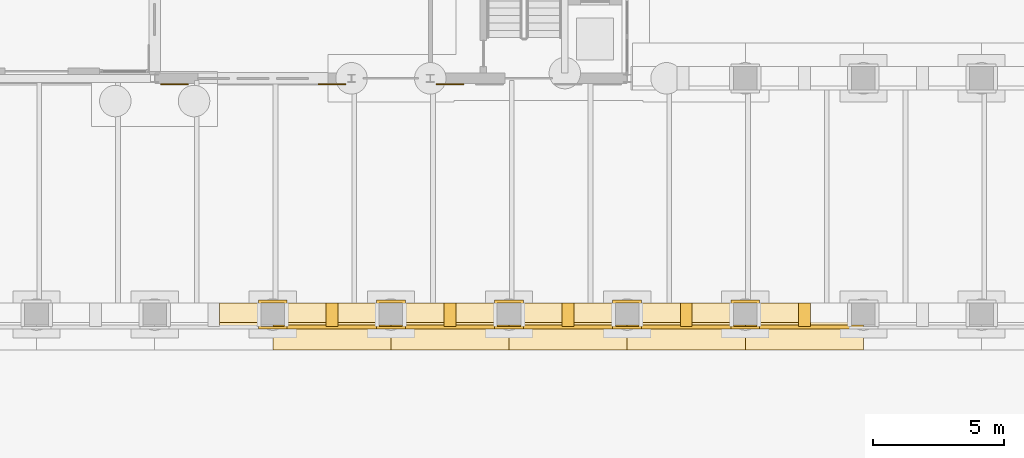
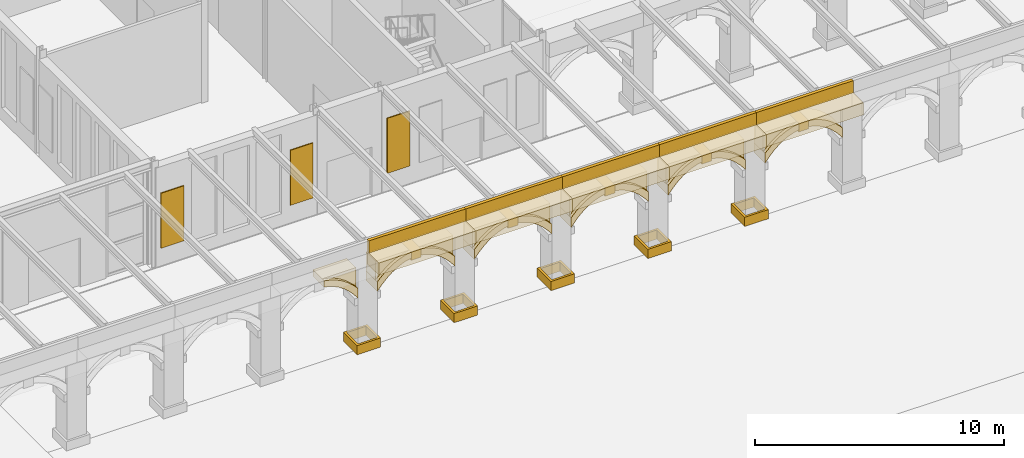
# One storey, part 133 of 168: 44 coverings.
"""IFC4 building model written with IfcOpenShell, lengths in metres."""

from ifc_helpers import new_model, si_unit, direction, frame, origin, origin_2d, place, context, subcontext, project, spatial, polyline, rectangle, outline, extrude, material, layer, layer_set, material_profile, profile_set, type_object, element, save


model = new_model("IFC4")

# Units and contexts
model_context = context("Model", 3, precision=1e-05, world=origin(), true_north=direction((0.0, 1.0)))
body_context = subcontext(model_context, "Body", "Model", "MODEL_VIEW")
ifc_project = project(units=[si_unit("LENGTHUNIT", "METRE"), si_unit("AREAUNIT", "SQUARE_METRE"), si_unit("VOLUMEUNIT", "CUBIC_METRE"), si_unit("PLANEANGLEUNIT", "RADIAN"), si_unit("MASSUNIT", "GRAM", prefix="KILO")], contexts=[model_context])

# Site, building, storey
site_placement = place(None, origin())
site = spatial("IfcSite", under=ifc_project, at=site_placement, CompositionType="ELEMENT")
building_placement = place(site_placement, origin())
building = spatial("IfcBuilding", under=site, at=building_placement, Name="Golden Quay Civic Hall", CompositionType="ELEMENT")
storey_placement = place(building_placement, origin())
storey = spatial("IfcBuildingStorey", under=building, at=storey_placement, Name="L00", CompositionType="ELEMENT", Elevation=0.0)

# Coverings
ifc_material_1 = material(Name="Brick, dark clay facing", Category="masonry")
ifc_layer_1 = layer(ifc_material_1, 0.75)
ifc_layer_set_1 = layer_set([ifc_layer_1], Name="Brick arch spandrel infill 750")
covering_type_1 = type_object("IfcCoveringType", Name="Brick arch spandrel infill 750", PredefinedType="CLADDING", material=ifc_layer_set_1)
covering_1_placement = place(storey_placement, frame((101.47509765625, -9.300048828125, 4.091064453125), z_axis=(0.0, -1.0, 0.0), x_axis=(0.97842552974, 0.0, -0.206599813053)))
element("IfcCovering", 1, at=covering_1_placement, inside=storey, type_object=covering_type_1, Name="Arch spandrel outer bay 19 right", PredefinedType="CLADDING", context=body_context, shape_type="SweptSolid", body=[
    extrude(outline(polyline([(0.0, 0.0), (0.06263051710363293, 1.734723475976807e-18), (0.31267483867747137, -0.0001008788149670925), (0.5881025541456739, -0.03651242089648961), (0.8673750848258303, -0.11003975339043703), (1.1505561937424948, -0.22216655622637274), (1.4375212099073598, -0.3746658221616902), (1.7294911476562997, -0.5697749671774053), (1.7300697733119603, -0.5701518352031314), (1.539106176579233, 0.3342229342292182), (-0.0018662580768914177, 0.008838316552825392), (0.0, 0.0)])), origin(), (0.0, 0.0, -1.0), 0.75),
])
covering_2_placement = place(storey_placement, frame((103.949951171875, -9.300048828125, 3.17578125), z_axis=(0.0, -1.0, 0.0), x_axis=(0.707106781187, 0.0, 0.707106781187)))
element("IfcCovering", 2, at=covering_2_placement, inside=storey, type_object=covering_type_1, Name="Arch spandrel outer bay 20 left", PredefinedType="CLADDING", context=body_context, shape_type="SweptSolid", body=[
    extrude(outline(polyline([(0.0, 0.0), (0.0006905339660024879, 0.0), (0.35182705567826755, 0.004143203796014933), (0.6755148522419337, -0.02468658928458889), (0.9739981590465092, -0.08528094480130727), (1.2481401435494968, -0.17608616133063437), (1.4988039732084, -0.29589380443206603), (1.7083810318901549, -0.4322742627175573), (1.760861613306344, -0.46645569403468046), (1.767249052491867, -0.4600682548491575), (0.6535903988213547, 0.6535903988213547), (0.0, 0.0)])), origin(), (0.0, 0.0, -1.0), 0.75),
])
covering_3_placement = place(storey_placement, frame((105.97509765625, -9.300048828125, 4.091064453125), z_axis=(0.0, -1.0, 0.0), x_axis=(0.97842552974, 0.0, -0.206599813053)))
element("IfcCovering", 3, at=covering_3_placement, inside=storey, type_object=covering_type_1, Name="Arch spandrel outer bay 20 right", PredefinedType="CLADDING", context=body_context, shape_type="SweptSolid", body=[
    extrude(outline(polyline([(0.0, 0.0), (0.06263051710363293, 1.734723475976807e-18), (0.31267483867747137, -0.0001008788149670925), (0.5881025541456739, -0.03651242089648961), (0.8673750848258303, -0.11003975339043703), (1.1505561937424948, -0.22216655622637274), (1.4375212099073598, -0.3746658221616902), (1.7294911476562997, -0.5697749671774053), (1.7300697733119603, -0.5701518352031314), (1.539106176579233, 0.3342229342292182), (-0.0018662580768914177, 0.008838316552825392), (0.0, 0.0)])), origin(), (0.0, 0.0, -1.0), 0.75),
])
covering_4_placement = place(storey_placement, frame((108.449951171875, -9.300048828125, 3.17578125), z_axis=(0.0, -1.0, 0.0), x_axis=(0.707106781187, 0.0, 0.707106781187)))
element("IfcCovering", 4, at=covering_4_placement, inside=storey, type_object=covering_type_1, Name="Arch spandrel outer bay 21 left", PredefinedType="CLADDING", context=body_context, shape_type="SweptSolid", body=[
    extrude(outline(polyline([(0.0, 0.0), (0.0006905339660024879, 0.0), (0.35182705567826755, 0.004143203796014933), (0.6755148522419337, -0.02468658928458889), (0.9739981590465092, -0.08528094480130727), (1.2481401435494968, -0.17608616133063437), (1.4988039732084, -0.29589380443206603), (1.7083810318901549, -0.4322742627175573), (1.760861613306344, -0.46645569403468046), (1.767249052491867, -0.4600682548491575), (0.6535903988213547, 0.6535903988213547), (0.0, 0.0)])), origin(), (0.0, 0.0, -1.0), 0.75),
])
covering_5_placement = place(storey_placement, frame((110.47509765625, -9.300048828125, 4.091064453125), z_axis=(0.0, -1.0, 0.0), x_axis=(0.97842552974, 0.0, -0.206599813053)))
element("IfcCovering", 5, at=covering_5_placement, inside=storey, type_object=covering_type_1, Name="Arch spandrel outer bay 21 right", PredefinedType="CLADDING", context=body_context, shape_type="SweptSolid", body=[
    extrude(outline(polyline([(0.0, 0.0), (0.06263051710363293, 1.734723475976807e-18), (0.31267483867747137, -0.0001008788149670925), (0.5881025541456739, -0.03651242089648961), (0.8673750848258303, -0.11003975339043703), (1.1505561937424948, -0.22216655622637274), (1.4375212099073598, -0.3746658221616902), (1.7294911476562997, -0.5697749671774053), (1.7300697733119603, -0.5701518352031314), (1.539106176579233, 0.3342229342292182), (-0.0018662580768914177, 0.008838316552825392), (0.0, 0.0)])), origin(), (0.0, 0.0, -1.0), 0.75),
])
covering_6_placement = place(storey_placement, frame((112.949951171875, -9.300048828125, 3.17578125), z_axis=(0.0, -1.0, 0.0), x_axis=(0.707106781187, 0.0, 0.707106781187)))
element("IfcCovering", 6, at=covering_6_placement, inside=storey, type_object=covering_type_1, Name="Arch spandrel outer bay 22 left", PredefinedType="CLADDING", context=body_context, shape_type="SweptSolid", body=[
    extrude(outline(polyline([(0.0, 0.0), (0.0006905339660024879, 0.0), (0.35182705567826755, 0.004143203796014933), (0.6755148522419337, -0.02468658928458889), (0.9739981590465092, -0.08528094480130727), (1.2481401435494968, -0.17608616133063437), (1.4988039732084, -0.29589380443206603), (1.7083810318901549, -0.4322742627175573), (1.760861613306344, -0.46645569403468046), (1.767249052491867, -0.4600682548491575), (0.6535903988213547, 0.6535903988213547), (0.0, 0.0)])), origin(), (0.0, 0.0, -1.0), 0.75),
])
covering_7_placement = place(storey_placement, frame((114.97509765625, -9.300048828125, 4.091064453125), z_axis=(0.0, -1.0, 0.0), x_axis=(0.97842552974, 0.0, -0.206599813053)))
element("IfcCovering", 7, at=covering_7_placement, inside=storey, type_object=covering_type_1, Name="Arch spandrel outer bay 22 right", PredefinedType="CLADDING", context=body_context, shape_type="SweptSolid", body=[
    extrude(outline(polyline([(0.0, 0.0), (0.06263051710363293, 1.734723475976807e-18), (0.31267483867747137, -0.0001008788149670925), (0.5881025541456739, -0.03651242089648961), (0.8673750848258303, -0.11003975339043703), (1.1505561937424948, -0.22216655622637274), (1.4375212099073598, -0.3746658221616902), (1.7294911476562997, -0.5697749671774053), (1.7300697733119603, -0.5701518352031314), (1.539106176579233, 0.3342229342292182), (-0.0018662580768914177, 0.008838316552825392), (0.0, 0.0)])), origin(), (0.0, 0.0, -1.0), 0.75),
])
covering_8_placement = place(storey_placement, frame((117.449951171875, -9.300048828125, 3.17578125), z_axis=(0.0, -1.0, 0.0), x_axis=(0.707106781187, 0.0, 0.707106781187)))
element("IfcCovering", 8, at=covering_8_placement, inside=storey, type_object=covering_type_1, Name="Arch spandrel outer bay 23 left", PredefinedType="CLADDING", context=body_context, shape_type="SweptSolid", body=[
    extrude(outline(polyline([(0.0, 0.0), (0.0006905339660024879, 0.0), (0.35182705567826755, 0.004143203796014933), (0.6755148522419337, -0.02468658928458889), (0.9739981590465092, -0.08528094480130727), (1.2481401435494968, -0.17608616133063437), (1.4988039732084, -0.29589380443206603), (1.7083810318901549, -0.4322742627175573), (1.760861613306344, -0.46645569403468046), (1.767249052491867, -0.4600682548491575), (0.6535903988213547, 0.6535903988213547), (0.0, 0.0)])), origin(), (0.0, 0.0, -1.0), 0.75),
])
covering_9_placement = place(storey_placement, frame((119.47509765625, -9.300048828125, 4.091064453125), z_axis=(0.0, -1.0, 0.0), x_axis=(0.97842552974, 0.0, -0.206599813053)))
element("IfcCovering", 9, at=covering_9_placement, inside=storey, type_object=covering_type_1, Name="Arch spandrel outer bay 23 right", PredefinedType="CLADDING", context=body_context, shape_type="SweptSolid", body=[
    extrude(outline(polyline([(0.0, 0.0), (0.06263051710363293, 1.734723475976807e-18), (0.31267483867747137, -0.0001008788149670925), (0.5881025541456739, -0.03651242089648961), (0.8673750848258303, -0.11003975339043703), (1.1505561937424948, -0.22216655622637274), (1.4375212099073598, -0.3746658221616902), (1.7294911476562997, -0.5697749671774053), (1.7300697733119603, -0.5701518352031314), (1.539106176579233, 0.3342229342292182), (-0.0018662580768914177, 0.008838316552825392), (0.0, 0.0)])), origin(), (0.0, 0.0, -1.0), 0.75),
])
covering_10_placement = place(storey_placement, frame((121.949951171875, -9.300048828125, 3.17578125), z_axis=(0.0, -1.0, 0.0), x_axis=(0.707106781187, 0.0, 0.707106781187)))
element("IfcCovering", 10, at=covering_10_placement, inside=storey, type_object=covering_type_1, Name="Arch spandrel outer bay 24 left", PredefinedType="CLADDING", context=body_context, shape_type="SweptSolid", body=[
    extrude(outline(polyline([(0.0, 0.0), (0.0006905339660024879, 0.0), (0.35182705567826755, 0.004143203796014933), (0.6755148522419337, -0.02468658928458889), (0.9739981590465092, -0.08528094480130727), (1.2481401435494968, -0.17608616133063437), (1.4988039732084, -0.29589380443206603), (1.7083810318901549, -0.4322742627175573), (1.760861613306344, -0.46645569403468046), (1.767249052491867, -0.4600682548491575), (0.6535903988213547, 0.6535903988213547), (0.0, 0.0)])), origin(), (0.0, 0.0, -1.0), 0.75),
])
ifc_material_2 = material(Name="Stone, buff limestone", Category="masonry")
ifc_layer_2 = layer(ifc_material_2, 0.89990234375)
ifc_layer_set_2 = layer_set([ifc_layer_2], Name="Stone arch keystone 450 x 420")
covering_type_2 = type_object("IfcCoveringType", Name="Stone arch keystone 450 x 420", PredefinedType="CLADDING", material=ifc_layer_set_2)
for number, where, z_axis, x_axis, name in (
    (11, (105.52490234375, -9.449951171875, 3.679931640625), (0.0, -1.0, 0.0), (1.0, 0.0, 0.0), "Arch keystone outer bay 20 crown"),
    (12, (110.02490234375, -9.449951171875, 3.679931640625), (0.0, -1.0, 0.0), (1.0, 0.0, 0.0), "Arch keystone outer bay 21 crown"),
    (13, (114.52490234375, -9.449951171875, 3.679931640625), (0.0, -1.0, 0.0), (1.0, 0.0, 0.0), "Arch keystone outer bay 22 crown"),
    (14, (119.02490234375, -9.449951171875, 3.679931640625), (0.0, -1.0, 0.0), (1.0, 0.0, 0.0), "Arch keystone outer bay 23 crown"),
    (15, (123.52490234375, -9.449951171875, 3.679931640625), (0.0, -1.0, 0.0), (1.0, 0.0, 0.0), "Arch keystone outer bay 24 crown"),
):
    element("IfcCovering", number, at=place(storey_placement, frame(where, z_axis=z_axis, x_axis=x_axis)), inside=storey, type_object=covering_type_2, Name=name, PredefinedType="CLADDING", context=body_context, shape_type="SweptSolid", body=[
        extrude(outline(polyline([(0.0, 0.0), (0.4501953125, 0.0), (0.4501953125, 0.420166015625), (0.0, 0.420166015625), (0.0, 0.0)])), origin(), (0.0, 0.0, -1.0), 0.89990234375),
    ])
ifc_material_3 = material(Name="Stone, buff limestone", Category="masonry")
ifc_layer_3 = layer(ifc_material_3, 0.89990234375)
ifc_layer_set_3 = layer_set([ifc_layer_3], Name="Stone arch ring 900 x 300")
covering_type_3 = type_object("IfcCoveringType", Name="Stone arch ring 900 x 300", PredefinedType="CLADDING", material=ifc_layer_set_3)
covering_11_placement = place(storey_placement, frame((101.47509765625, -9.449951171875, 3.784423828125), z_axis=(0.0, -1.0, 0.0), x_axis=(0.978953882547, 0.0, -0.20408159115)))
element("IfcCovering", 16, at=covering_11_placement, inside=storey, type_object=covering_type_3, Name="Arch ring outer bay 19 right", PredefinedType="CLADDING", context=body_context, shape_type="SweptSolid", body=[
    extrude(outline(polyline([(0.0, 0.0), (0.22968754671057404, 0.0), (0.4662407685933837, -0.031737496286033756), (0.7094806084662527, -0.09674615254891705), (0.9602836680123576, -0.19683833887607075), (1.2190088401055397, -0.33493190882748347), (1.486164491441282, -0.5146617232013373), (1.7631254697749046, -0.7402301762123651), (1.666017310314196, -0.27441447379927847), (1.665439656274305, -0.27403611818824464), (1.3739727106559259, -0.07817636573824266), (1.0874010326963535, 0.07506077076837225), (0.8045093690852512, 0.18791584163726896), (0.5254269523975812, 0.26216151297199447), (0.25009383740278873, 0.29928162385615015), (5.060311670204709e-05, 0.3000258789264141), (-0.06257970666118522, 0.30018703039037287), (0.0, 0.0)])), origin(), (0.0, 0.0, -1.0), 0.89990234375),
])
covering_12_placement = place(storey_placement, frame((103.949951171875, -9.449951171875, 2.699951171875), z_axis=(0.0, -1.0, 0.0), x_axis=(0.630180832165, 0.0, 0.776448400585)))
element("IfcCovering", 17, at=covering_12_placement, inside=storey, type_object=covering_type_3, Name="Arch ring outer bay 20 left", PredefinedType="CLADDING", context=body_context, shape_type="SweptSolid", body=[
    extrude(outline(polyline([(0.0, 0.0), (0.3571953394339093, 0.0), (0.6778408073481526, -0.02935016390994566), (0.9656562359875701, -0.08566026756533418), (1.2233312115769217, -0.1664329572349489), (1.452986632547569, -0.2696324374142566), (1.6564467051663616, -0.39440701136103273), (1.8345410995356382, -0.5394544374263122), (2.0726317223713804, -0.3462153931881483), (2.023967866388838, -0.30678937647863513), (1.8296201479431229, -0.14946443483618055), (1.5926919309667726, -0.004373956702034887), (1.3294118430005957, 0.11429790304869314), (1.038796361200025, 0.20543846536483718), (0.7198262528649223, 0.2675916358552039), (0.37014433379061235, 0.2997875748909126), (0.36945750311055836, 0.2998589946020553), (0.0, 0.0)])), origin(), (0.0, 0.0, -1.0), 0.89990234375),
])
covering_13_placement = place(storey_placement, frame((105.97509765625, -9.449951171875, 3.784423828125), z_axis=(0.0, -1.0, 0.0), x_axis=(0.978953882547, 0.0, -0.20408159115)))
element("IfcCovering", 18, at=covering_13_placement, inside=storey, type_object=covering_type_3, Name="Arch ring outer bay 20 right", PredefinedType="CLADDING", context=body_context, shape_type="SweptSolid", body=[
    extrude(outline(polyline([(0.0, 0.0), (0.22968754671057404, 0.0), (0.4662407685933837, -0.031737496286033756), (0.7094806084662527, -0.09674615254891705), (0.9602836680123576, -0.19683833887607075), (1.2190088401055397, -0.33493190882748347), (1.486164491441282, -0.5146617232013373), (1.7631254697749046, -0.7402301762123651), (1.666017310314196, -0.27441447379927847), (1.665439656274305, -0.27403611818824464), (1.3739727106559259, -0.07817636573824266), (1.0874010326963535, 0.07506077076837225), (0.8045093690852512, 0.18791584163726896), (0.5254269523975812, 0.26216151297199447), (0.25009383740278873, 0.29928162385615015), (5.060311670204709e-05, 0.3000258789264141), (-0.06257970666118522, 0.30018703039037287), (0.0, 0.0)])), origin(), (0.0, 0.0, -1.0), 0.89990234375),
])
covering_14_placement = place(storey_placement, frame((108.449951171875, -9.449951171875, 2.699951171875), z_axis=(0.0, -1.0, 0.0), x_axis=(0.630180832165, 0.0, 0.776448400585)))
element("IfcCovering", 19, at=covering_14_placement, inside=storey, type_object=covering_type_3, Name="Arch ring outer bay 21 left", PredefinedType="CLADDING", context=body_context, shape_type="SweptSolid", body=[
    extrude(outline(polyline([(0.0, 0.0), (0.3571953394339093, 0.0), (0.6778408073481526, -0.02935016390994566), (0.9656562359875701, -0.08566026756533418), (1.2233312115769217, -0.1664329572349489), (1.452986632547569, -0.2696324374142566), (1.6564467051663616, -0.39440701136103273), (1.8345410995356382, -0.5394544374263122), (2.0726317223713804, -0.3462153931881483), (2.023967866388838, -0.30678937647863513), (1.8296201479431229, -0.14946443483618055), (1.5926919309667726, -0.004373956702034887), (1.3294118430005957, 0.11429790304869314), (1.038796361200025, 0.20543846536483718), (0.7198262528649223, 0.2675916358552039), (0.37014433379061235, 0.2997875748909126), (0.36945750311055836, 0.2998589946020553), (0.0, 0.0)])), origin(), (0.0, 0.0, -1.0), 0.89990234375),
])
covering_15_placement = place(storey_placement, frame((110.47509765625, -9.449951171875, 3.784423828125), z_axis=(0.0, -1.0, 0.0), x_axis=(0.978953882547, 0.0, -0.20408159115)))
element("IfcCovering", 20, at=covering_15_placement, inside=storey, type_object=covering_type_3, Name="Arch ring outer bay 21 right", PredefinedType="CLADDING", context=body_context, shape_type="SweptSolid", body=[
    extrude(outline(polyline([(0.0, 0.0), (0.22968754671057404, 0.0), (0.4662407685933837, -0.031737496286033756), (0.7094806084662527, -0.09674615254891705), (0.9602836680123576, -0.19683833887607075), (1.2190088401055397, -0.33493190882748347), (1.486164491441282, -0.5146617232013373), (1.7631254697749046, -0.7402301762123651), (1.666017310314196, -0.27441447379927847), (1.665439656274305, -0.27403611818824464), (1.3739727106559259, -0.07817636573824266), (1.0874010326963535, 0.07506077076837225), (0.8045093690852512, 0.18791584163726896), (0.5254269523975812, 0.26216151297199447), (0.25009383740278873, 0.29928162385615015), (5.060311670204709e-05, 0.3000258789264141), (-0.06257970666118522, 0.30018703039037287), (0.0, 0.0)])), origin(), (0.0, 0.0, -1.0), 0.89990234375),
])
covering_16_placement = place(storey_placement, frame((112.949951171875, -9.449951171875, 2.699951171875), z_axis=(0.0, -1.0, 0.0), x_axis=(0.630180832165, 0.0, 0.776448400585)))
element("IfcCovering", 21, at=covering_16_placement, inside=storey, type_object=covering_type_3, Name="Arch ring outer bay 22 left", PredefinedType="CLADDING", context=body_context, shape_type="SweptSolid", body=[
    extrude(outline(polyline([(0.0, 0.0), (0.3571953394339093, 0.0), (0.6778408073481526, -0.02935016390994566), (0.9656562359875701, -0.08566026756533418), (1.2233312115769217, -0.1664329572349489), (1.452986632547569, -0.2696324374142566), (1.6564467051663616, -0.39440701136103273), (1.8345410995356382, -0.5394544374263122), (2.0726317223713804, -0.3462153931881483), (2.023967866388838, -0.30678937647863513), (1.8296201479431229, -0.14946443483618055), (1.5926919309667726, -0.004373956702034887), (1.3294118430005957, 0.11429790304869314), (1.038796361200025, 0.20543846536483718), (0.7198262528649223, 0.2675916358552039), (0.37014433379061235, 0.2997875748909126), (0.36945750311055836, 0.2998589946020553), (0.0, 0.0)])), origin(), (0.0, 0.0, -1.0), 0.89990234375),
])
covering_17_placement = place(storey_placement, frame((114.97509765625, -9.449951171875, 3.784423828125), z_axis=(0.0, -1.0, 0.0), x_axis=(0.978953882547, 0.0, -0.20408159115)))
element("IfcCovering", 22, at=covering_17_placement, inside=storey, type_object=covering_type_3, Name="Arch ring outer bay 22 right", PredefinedType="CLADDING", context=body_context, shape_type="SweptSolid", body=[
    extrude(outline(polyline([(0.0, 0.0), (0.22968754671057404, 0.0), (0.4662407685933837, -0.031737496286033756), (0.7094806084662527, -0.09674615254891705), (0.9602836680123576, -0.19683833887607075), (1.2190088401055397, -0.33493190882748347), (1.486164491441282, -0.5146617232013373), (1.7631254697749046, -0.7402301762123651), (1.666017310314196, -0.27441447379927847), (1.665439656274305, -0.27403611818824464), (1.3739727106559259, -0.07817636573824266), (1.0874010326963535, 0.07506077076837225), (0.8045093690852512, 0.18791584163726896), (0.5254269523975812, 0.26216151297199447), (0.25009383740278873, 0.29928162385615015), (5.060311670204709e-05, 0.3000258789264141), (-0.06257970666118522, 0.30018703039037287), (0.0, 0.0)])), origin(), (0.0, 0.0, -1.0), 0.89990234375),
])
covering_18_placement = place(storey_placement, frame((117.449951171875, -9.449951171875, 2.699951171875), z_axis=(0.0, -1.0, 0.0), x_axis=(0.630180832165, 0.0, 0.776448400585)))
element("IfcCovering", 23, at=covering_18_placement, inside=storey, type_object=covering_type_3, Name="Arch ring outer bay 23 left", PredefinedType="CLADDING", context=body_context, shape_type="SweptSolid", body=[
    extrude(outline(polyline([(0.0, 0.0), (0.3571953394339093, 0.0), (0.6778408073481526, -0.02935016390994566), (0.9656562359875701, -0.08566026756533418), (1.2233312115769217, -0.1664329572349489), (1.452986632547569, -0.2696324374142566), (1.6564467051663616, -0.39440701136103273), (1.8345410995356382, -0.5394544374263122), (2.0726317223713804, -0.3462153931881483), (2.023967866388838, -0.30678937647863513), (1.8296201479431229, -0.14946443483618055), (1.5926919309667726, -0.004373956702034887), (1.3294118430005957, 0.11429790304869314), (1.038796361200025, 0.20543846536483718), (0.7198262528649223, 0.2675916358552039), (0.37014433379061235, 0.2997875748909126), (0.36945750311055836, 0.2998589946020553), (0.0, 0.0)])), origin(), (0.0, 0.0, -1.0), 0.89990234375),
])
covering_19_placement = place(storey_placement, frame((119.47509765625, -9.449951171875, 3.784423828125), z_axis=(0.0, -1.0, 0.0), x_axis=(0.978953882547, 0.0, -0.20408159115)))
element("IfcCovering", 24, at=covering_19_placement, inside=storey, type_object=covering_type_3, Name="Arch ring outer bay 23 right", PredefinedType="CLADDING", context=body_context, shape_type="SweptSolid", body=[
    extrude(outline(polyline([(0.0, 0.0), (0.22968754671057404, 0.0), (0.4662407685933837, -0.031737496286033756), (0.7094806084662527, -0.09674615254891705), (0.9602836680123576, -0.19683833887607075), (1.2190088401055397, -0.33493190882748347), (1.486164491441282, -0.5146617232013373), (1.7631254697749046, -0.7402301762123651), (1.666017310314196, -0.27441447379927847), (1.665439656274305, -0.27403611818824464), (1.3739727106559259, -0.07817636573824266), (1.0874010326963535, 0.07506077076837225), (0.8045093690852512, 0.18791584163726896), (0.5254269523975812, 0.26216151297199447), (0.25009383740278873, 0.29928162385615015), (5.060311670204709e-05, 0.3000258789264141), (-0.06257970666118522, 0.30018703039037287), (0.0, 0.0)])), origin(), (0.0, 0.0, -1.0), 0.89990234375),
])
covering_20_placement = place(storey_placement, frame((121.949951171875, -9.449951171875, 2.699951171875), z_axis=(0.0, -1.0, 0.0), x_axis=(0.630180832165, 0.0, 0.776448400585)))
element("IfcCovering", 25, at=covering_20_placement, inside=storey, type_object=covering_type_3, Name="Arch ring outer bay 24 left", PredefinedType="CLADDING", context=body_context, shape_type="SweptSolid", body=[
    extrude(outline(polyline([(0.0, 0.0), (0.3571953394339093, 0.0), (0.6778408073481526, -0.02935016390994566), (0.9656562359875701, -0.08566026756533418), (1.2233312115769217, -0.1664329572349489), (1.452986632547569, -0.2696324374142566), (1.6564467051663616, -0.39440701136103273), (1.8345410995356382, -0.5394544374263122), (2.0726317223713804, -0.3462153931881483), (2.023967866388838, -0.30678937647863513), (1.8296201479431229, -0.14946443483618055), (1.5926919309667726, -0.004373956702034887), (1.3294118430005957, 0.11429790304869314), (1.038796361200025, 0.20543846536483718), (0.7198262528649223, 0.2675916358552039), (0.37014433379061235, 0.2997875748909126), (0.36945750311055836, 0.2998589946020553), (0.0, 0.0)])), origin(), (0.0, 0.0, -1.0), 0.89990234375),
])
covering_21_placement = place(storey_placement, frame((123.97509765625, -9.449951171875, 3.784423828125), z_axis=(0.0, -1.0, 0.0), x_axis=(0.978953882547, 0.0, -0.20408159115)))
element("IfcCovering", 26, at=covering_21_placement, inside=storey, type_object=covering_type_3, Name="Arch ring outer bay 24 right", PredefinedType="CLADDING", context=body_context, shape_type="SweptSolid", body=[
    extrude(outline(polyline([(0.0, 0.0), (0.22968754671057404, 0.0), (0.4662407685933837, -0.031737496286033756), (0.7094806084662527, -0.09674615254891705), (0.9602836680123576, -0.19683833887607075), (1.2190088401055397, -0.33493190882748347), (1.486164491441282, -0.5146617232013373), (1.7631254697749046, -0.7402301762123651), (1.666017310314196, -0.27441447379927847), (1.665439656274305, -0.27403611818824464), (1.3739727106559259, -0.07817636573824266), (1.0874010326963535, 0.07506077076837225), (0.8045093690852512, 0.18791584163726896), (0.5254269523975812, 0.26216151297199447), (0.25009383740278873, 0.29928162385615015), (5.060311670204709e-05, 0.3000258789264141), (-0.06257970666118522, 0.30018703039037287), (0.0, 0.0)])), origin(), (0.0, 0.0, -1.0), 0.89990234375),
])
ifc_material_4 = material(Name="Stone, buff limestone", Category="masonry")
ifc_material_profile_1 = material_profile(ifc_material_4, rectangle(XDim=0.89990234375, YDim=0.60009765625, at=origin_2d()), Name="RC 900x600")
ifc_profile_set_1 = profile_set([ifc_material_profile_1], Name="Stone, buff limestone")
covering_type_4 = type_object("IfcCoveringType", Name="Stone cornice 900 x 600", PredefinedType="MOLDING", material=ifc_profile_set_1)
for number, where, z_axis, x_axis, name in (
    (27, (103.5, -9.89990234375, 4.5), (1.0, 0.0, 0.0), (0.0, 1.0, 0.0), "Stone cornice outer bay 20"),
    (28, (108.0, -9.89990234375, 4.5), (1.0, 0.0, 0.0), (0.0, 1.0, 0.0), "Stone cornice outer bay 21"),
    (29, (112.5, -9.89990234375, 4.5), (1.0, 0.0, 0.0), (0.0, 1.0, 0.0), "Stone cornice outer bay 22"),
    (30, (117.0, -9.89990234375, 4.5), (1.0, 0.0, 0.0), (0.0, 1.0, 0.0), "Stone cornice outer bay 23"),
    (31, (121.5, -9.89990234375, 4.5), (1.0, 0.0, 0.0), (0.0, 1.0, 0.0), "Stone cornice outer bay 24"),
):
    element("IfcCovering", number, at=place(storey_placement, frame(where, z_axis=z_axis, x_axis=x_axis)), inside=storey, type_object=covering_type_4, Name=name, PredefinedType="MOLDING", context=body_context, shape_type="SweptSolid", body=[
        extrude(rectangle(XDim=0.89990234375, YDim=0.60009765625, at=origin_2d()), origin(), (0.0, 0.0, 1.0), 4.5),
    ])
ifc_material_5 = material(Name="Stone, buff limestone", Category="masonry")
ifc_layer_4 = layer(ifc_material_5, 0.449951171875)
ifc_layer_set_4 = layer_set([ifc_layer_4], Name="Stone pier plinth 450")
covering_type_5 = type_object("IfcCoveringType", Name="Stone pier plinth 450", PredefinedType="CLADDING", material=ifc_layer_set_4)
covering_22_placement = place(storey_placement, origin())
element("IfcCovering", 32, at=covering_22_placement, inside=storey, type_object=covering_type_5, Name="Pier plinth outer 103.5", PredefinedType="CLADDING", context=body_context, shape_type="SweptSolid", body=[
    extrude(outline(polyline([(102.949951171875, -9.550048828125), (104.050048828125, -9.550048828125), (104.050048828125, -8.449951171875), (102.949951171875, -8.449951171875), (102.949951171875, -9.550048828125)]), holes=[polyline([(103.050048828125, -9.449951171875), (103.949951171875, -9.449951171875), (103.949951171875, -8.550048828125), (103.050048828125, -8.550048828125), (103.050048828125, -9.449951171875)])]), origin(), (0.0, 0.0, 1.0), 0.449951171875),
])
covering_23_placement = place(storey_placement, origin())
element("IfcCovering", 33, at=covering_23_placement, inside=storey, type_object=covering_type_5, Name="Pier plinth outer 108", PredefinedType="CLADDING", context=body_context, shape_type="SweptSolid", body=[
    extrude(outline(polyline([(107.449951171875, -9.550048828125), (108.550048828125, -9.550048828125), (108.550048828125, -8.449951171875), (107.449951171875, -8.449951171875), (107.449951171875, -9.550048828125)]), holes=[polyline([(107.550048828125, -9.449951171875), (108.449951171875, -9.449951171875), (108.449951171875, -8.550048828125), (107.550048828125, -8.550048828125), (107.550048828125, -9.449951171875)])]), origin(), (0.0, 0.0, 1.0), 0.449951171875),
])
covering_24_placement = place(storey_placement, origin())
element("IfcCovering", 34, at=covering_24_placement, inside=storey, type_object=covering_type_5, Name="Pier plinth outer 112.5", PredefinedType="CLADDING", context=body_context, shape_type="SweptSolid", body=[
    extrude(outline(polyline([(111.949951171875, -9.550048828125), (113.050048828125, -9.550048828125), (113.050048828125, -8.449951171875), (111.949951171875, -8.449951171875), (111.949951171875, -9.550048828125)]), holes=[polyline([(112.050048828125, -9.449951171875), (112.949951171875, -9.449951171875), (112.949951171875, -8.550048828125), (112.050048828125, -8.550048828125), (112.050048828125, -9.449951171875)])]), origin(), (0.0, 0.0, 1.0), 0.449951171875),
])
covering_25_placement = place(storey_placement, origin())
element("IfcCovering", 35, at=covering_25_placement, inside=storey, type_object=covering_type_5, Name="Pier plinth outer 117", PredefinedType="CLADDING", context=body_context, shape_type="SweptSolid", body=[
    extrude(outline(polyline([(116.449951171875, -9.550048828125), (117.550048828125, -9.550048828125), (117.550048828125, -8.449951171875), (116.449951171875, -8.449951171875), (116.449951171875, -9.550048828125)]), holes=[polyline([(116.550048828125, -9.449951171875), (117.449951171875, -9.449951171875), (117.449951171875, -8.550048828125), (116.550048828125, -8.550048828125), (116.550048828125, -9.449951171875)])]), origin(), (0.0, 0.0, 1.0), 0.449951171875),
])
covering_26_placement = place(storey_placement, origin())
element("IfcCovering", 36, at=covering_26_placement, inside=storey, type_object=covering_type_5, Name="Pier plinth outer 121.5", PredefinedType="CLADDING", context=body_context, shape_type="SweptSolid", body=[
    extrude(outline(polyline([(120.949951171875, -9.550048828125), (122.050048828125, -9.550048828125), (122.050048828125, -8.449951171875), (120.949951171875, -8.449951171875), (120.949951171875, -9.550048828125)]), holes=[polyline([(121.050048828125, -9.449951171875), (121.949951171875, -9.449951171875), (121.949951171875, -8.550048828125), (121.050048828125, -8.550048828125), (121.050048828125, -9.449951171875)])]), origin(), (0.0, 0.0, 1.0), 0.449951171875),
])
ifc_material_6 = material(Name="Stone, buff limestone", Category="masonry")
ifc_material_profile_2 = material_profile(ifc_material_6, rectangle(XDim=0.14990234375, YDim=0.60009765625, at=origin_2d()), Name="RC 150x600")
ifc_profile_set_2 = profile_set([ifc_material_profile_2], Name="Stone, buff limestone")
covering_type_6 = type_object("IfcCoveringType", Name="Stone terrace fascia 150 x 600", PredefinedType="CLADDING", material=ifc_profile_set_2)
for number, where, z_axis, x_axis, name in (
    (37, (103.5, -9.47509765625, 5.10009765625), (1.0, 0.0, 0.0), (0.0, 1.0, 0.0), "Terrace fascia bay 20"),
    (38, (108.0, -9.47509765625, 5.10009765625), (1.0, 0.0, 0.0), (0.0, 1.0, 0.0), "Terrace fascia bay 21"),
    (39, (112.5, -9.47509765625, 5.10009765625), (1.0, 0.0, 0.0), (0.0, 1.0, 0.0), "Terrace fascia bay 22"),
    (40, (117.0, -9.47509765625, 5.10009765625), (1.0, 0.0, 0.0), (0.0, 1.0, 0.0), "Terrace fascia bay 23"),
    (41, (121.5, -9.47509765625, 5.10009765625), (1.0, 0.0, 0.0), (0.0, 1.0, 0.0), "Terrace fascia bay 24"),
):
    element("IfcCovering", number, at=place(storey_placement, frame(where, z_axis=z_axis, x_axis=x_axis)), inside=storey, type_object=covering_type_6, Name=name, PredefinedType="CLADDING", context=body_context, shape_type="SweptSolid", body=[
        extrude(rectangle(XDim=0.14990234375, YDim=0.60009765625, at=origin_2d()), origin(), (0.0, 0.0, 1.0), 4.5),
    ])
ifc_material_7 = material(Name="Terracotta cladding, golden glaze", Category="masonry")
ifc_layer_5 = layer(ifc_material_7, 0.050048828125)
ifc_layer_set_5 = layer_set([ifc_layer_5], Name="Terracotta solid panel 1050 x 2700 x 50")
covering_type_7 = type_object("IfcCoveringType", Name="Terracotta solid panel 1050 x 2700 x 50", PredefinedType="CLADDING", material=ifc_layer_set_5)
covering_27_placement = place(storey_placement, frame((0.0, 0.0, 0.89990234375)))
element("IfcCovering", 42, at=covering_27_placement, inside=storey, type_object=covering_type_7, Name="Terracotta solid panel 1050 x 2700 x 50 L00 67", PredefinedType="CLADDING", context=body_context, shape_type="SweptSolid", body=[
    extrude(outline(polyline([(99.22509765625, -0.199951171875), (100.27490234375, -0.199951171875), (100.27490234375, -0.25), (99.22509765625, -0.25), (99.22509765625, -0.199951171875)])), origin(), (0.0, 0.0, 1.0), 2.7001953125),
])
covering_28_placement = place(storey_placement, frame((0.0, 0.0, 0.89990234375)))
element("IfcCovering", 43, at=covering_28_placement, inside=storey, type_object=covering_type_7, Name="Terracotta solid panel 1050 x 2700 x 50 L00 68", PredefinedType="CLADDING", context=body_context, shape_type="SweptSolid", body=[
    extrude(outline(polyline([(105.22509765625, -0.199951171875), (106.27490234375, -0.199951171875), (106.27490234375, -0.25), (105.22509765625, -0.25), (105.22509765625, -0.199951171875)])), origin(), (0.0, 0.0, 1.0), 2.7001953125),
])
covering_29_placement = place(storey_placement, frame((0.0, 0.0, 0.89990234375)))
element("IfcCovering", 44, at=covering_29_placement, inside=storey, type_object=covering_type_7, Name="Terracotta solid panel 1050 x 2700 x 50 L00 69", PredefinedType="CLADDING", context=body_context, shape_type="SweptSolid", body=[
    extrude(outline(polyline([(109.72509765625, -0.199951171875), (110.77490234375, -0.199951171875), (110.77490234375, -0.25), (109.72509765625, -0.25), (109.72509765625, -0.199951171875)])), origin(), (0.0, 0.0, 1.0), 2.7001953125),
])

save(model, "model.ifc")
